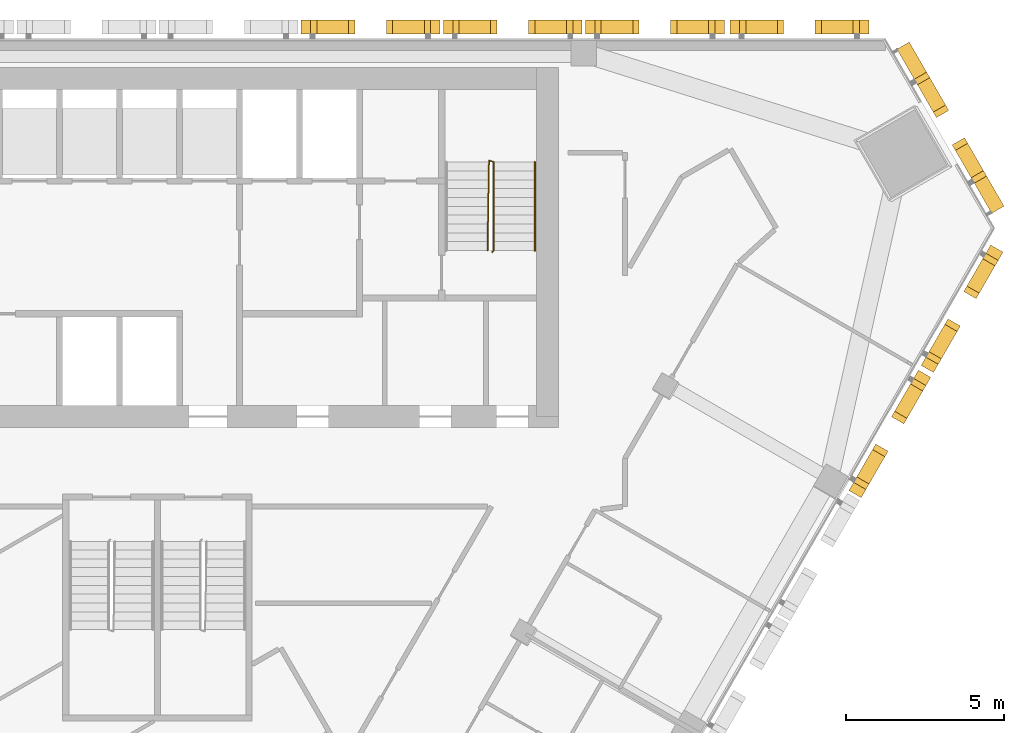
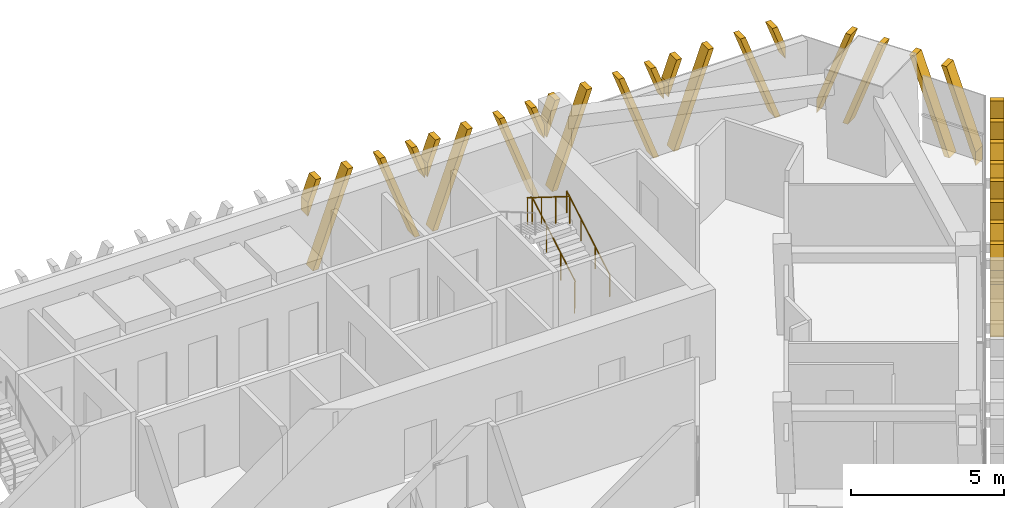
# One storey, part 14 of 15: 7 shading devices, 2 railings.
"""IFC4 building model written with IfcOpenShell, lengths in metres."""

from ifc_helpers import new_model, si_unit, direction, frame, origin, origin_2d, place, context, subcontext, project, spatial, polyline, circle, outline, extrude, source, transform, mapped, material, type_object, element, save


model = new_model("IFC4")

# Units and contexts
model_context = context("Model", 3, precision=1e-05, world=origin(), true_north=direction((0.0, 1.0)))
body_context = subcontext(model_context, "Body", "Model", "MODEL_VIEW")
ifc_project = project(units=[si_unit("LENGTHUNIT", "METRE"), si_unit("AREAUNIT", "SQUARE_METRE"), si_unit("VOLUMEUNIT", "CUBIC_METRE"), si_unit("PLANEANGLEUNIT", "RADIAN"), si_unit("MASSUNIT", "GRAM", prefix="KILO")], contexts=[model_context])

# Site, building, storey
site_placement = place(None, origin())
site = spatial("IfcSite", under=ifc_project, at=site_placement, CompositionType="ELEMENT")
building_placement = place(site_placement, origin())
building = spatial("IfcBuilding", under=site, at=building_placement, Name="Altiplano Prism Tower", CompositionType="ELEMENT")
storey_placement = place(building_placement, frame((0.0, 0.0, 171.0)))
storey = spatial("IfcBuildingStorey", under=building, at=storey_placement, Name="L44", CompositionType="ELEMENT", Elevation=171.0)

# Railings
ifc_material_1 = material(Name="Steel S355", Category="steel")
railing_type_1 = type_object("IfcRailingType", Name="Stair guard 1100", PredefinedType="GUARDRAIL", material=ifc_material_1)
railing_1_placement = place(storey_placement, frame((95.60009765625, 98.25, 0.0)))
element("IfcRailing", 1, at=railing_1_placement, inside=storey, type_object=railing_type_1, Name="L44 ST2 stair guard 1", PredefinedType="GUARDRAIL", context=body_context, shape_type="SweptSolid", body=[
    extrude(circle(Radius=0.02392578125, at=origin_2d()), frame((0.0, 0.0, 1.076171875), z_axis=(0.279546231943, 0.280916556609, 0.91811752648), x_axis=(-0.708833529934, 0.705375805398, 0.0)), (0.0, 0.0, 1.0), 0.17822265625),
    extrude(circle(Radius=0.02392578125, at=origin_2d()), frame((0.0498046875, 0.050048828125, 1.23974609375), z_axis=(0.0, 0.863360870873, 0.504586966384), x_axis=(-1.0, 0.0, 0.0)), (0.0, 0.0, 1.0), 3.2431640625),
    extrude(circle(Radius=0.02392578125, at=origin_2d()), frame((0.0498046875, 2.85009765625, 2.8759765625), z_axis=(-0.948991962702, 0.315300261223, 0.0), x_axis=(-0.315300261223, -0.948991962702, 0.0)), (0.0, 0.0, 1.0), 0.157958984375),
    extrude(circle(Radius=0.02392578125, at=origin_2d()), frame((-0.10009765625, 2.89990234375, 2.8759765625), z_axis=(-0.014846418356, -0.845376787675, 0.533964109957), x_axis=(0.999845825584, -0.017559187376, 0.0)), (0.0, 0.0, 1.0), 3.37109375),
    extrude(circle(Radius=0.02099609375, at=origin_2d()), origin(), (0.0, 0.0, 1.0), 1.052001953125),
    extrude(circle(Radius=0.02099609375, at=origin_2d()), frame((0.0498046875, 0.050048828125, 0.16357421875)), (0.0, 0.0, 1.0), 1.052001953125),
    extrude(circle(Radius=0.02099609375, at=origin_2d()), frame((0.0498046875, 0.9833984375, 0.708984375)), (0.0, 0.0, 1.0), 1.052001953125),
    extrude(circle(Radius=0.02099609375, at=origin_2d()), frame((0.0498046875, 1.916748046875, 1.254638671875)), (0.0, 0.0, 1.0), 1.052001953125),
    extrude(circle(Radius=0.02099609375, at=origin_2d()), frame((0.0498046875, 2.85009765625, 1.800048828125)), (0.0, 0.0, 1.0), 1.052001953125),
    extrude(circle(Radius=0.02099609375, at=origin_2d()), frame((-0.10009765625, 2.89990234375, 1.800048828125)), (0.0, 0.0, 1.0), 1.052001953125),
    extrude(circle(Radius=0.02099609375, at=origin_2d()), frame((-0.11669921875, 1.949951171875, 2.400146484375)), (0.0, 0.0, 1.0), 1.052001953125),
    extrude(circle(Radius=0.02099609375, at=origin_2d()), frame((-0.133544921875, 1.0, 3.0)), (0.0, 0.0, 1.0), 1.052001953125),
    extrude(circle(Radius=0.02099609375, at=origin_2d()), frame((-0.150146484375, 0.050048828125, 3.60009765625)), (0.0, 0.0, 1.0), 1.052001953125),
])
railing_type_2 = type_object("IfcRailingType", Name="Stair handrail 900", PredefinedType="HANDRAIL", material=ifc_material_1)
railing_2_placement = place(storey_placement, frame((96.949951171875, 98.300048828125, 0.16357421875)))
element("IfcRailing", 2, at=railing_2_placement, inside=storey, type_object=railing_type_2, Name="L44 ST2 stair handrail 1", PredefinedType="HANDRAIL", context=body_context, shape_type="SweptSolid", body=[
    extrude(circle(Radius=0.02392578125, at=origin_2d()), frame((0.0, 0.0, 0.8759765625), z_axis=(0.0, 0.863360870873, 0.504586966384), x_axis=(-1.0, 0.0, 0.0)), (0.0, 0.0, 1.0), 3.2431640625),
    extrude(circle(Radius=0.02099609375, at=origin_2d()), origin(), (0.0, 0.0, 1.0), 0.851806640625),
    extrude(circle(Radius=0.02099609375, at=origin_2d()), frame((0.0, 0.933349609375, 0.54541015625)), (0.0, 0.0, 1.0), 0.851806640625),
    extrude(circle(Radius=0.02099609375, at=origin_2d()), frame((0.0, 1.86669921875, 1.091064453125)), (0.0, 0.0, 1.0), 0.851806640625),
    extrude(circle(Radius=0.02099609375, at=origin_2d()), frame((0.0, 2.800048828125, 1.636474609375)), (0.0, 0.0, 1.0), 0.851806640625),
])

# Shading devices
ifc_material_2 = material(Name="Warm limestone cast stone", Category="masonry")
shading_device_type_1 = type_object("IfcShadingDeviceType", Name="Stone fin panel, wide closing bay", PredefinedType="USERDEFINED", material=ifc_material_2)
shared_shape_1 = source(origin(), body_context, "Body", "SweptSolid", [
    extrude(outline(polyline([(-2.199951171875, 2.226318359375), (-1.699951171875, 3.60009765625), (-1.89990234375, 3.60009765625), (-2.199951171875, 2.77587890625), (-2.199951171875, 2.226318359375)])), frame((0.0, -0.14990234375, 0.0), z_axis=(0.0, -1.0, 0.0), x_axis=(1.0, 0.0, 0.0)), (0.0, 0.0, 1.0), 0.4501953125),
    extrude(outline(polyline([(-2.01025390625, 0.0), (-1.810302734375, 0.0), (-0.5, 3.60009765625), (-0.699951171875, 3.60009765625), (-2.01025390625, 0.0)])), frame((0.0, -0.14990234375, 0.0), z_axis=(0.0, -1.0, 0.0), x_axis=(1.0, 0.0, 0.0)), (0.0, 0.0, 1.0), 0.4501953125),
    extrude(outline(polyline([(1.810302734375, 0.0), (2.01025390625, 0.0), (0.699951171875, 3.60009765625), (0.5, 3.60009765625), (1.810302734375, 0.0)])), frame((0.0, -0.14990234375, 0.0), z_axis=(0.0, -1.0, 0.0), x_axis=(1.0, 0.0, 0.0)), (0.0, 0.0, 1.0), 0.4501953125),
    extrude(outline(polyline([(2.199951171875, 2.77587890625), (1.89990234375, 3.60009765625), (1.699951171875, 3.60009765625), (2.199951171875, 2.226318359375), (2.199951171875, 2.77587890625)])), frame((0.0, -0.14990234375, 0.0), z_axis=(0.0, -1.0, 0.0), x_axis=(1.0, 0.0, 0.0)), (0.0, 0.0, 1.0), 0.4501953125),
])
shading_device_1_placement = place(storey_placement, origin())
element("IfcShadingDevice", 3, at=shading_device_1_placement, inside=storey, type_object=shading_device_type_1, Name="Fin L44 north face 1", ObjectType="FIN", PredefinedType="USERDEFINED", context=body_context, shape_type="MappedRepresentation", body=[
    mapped(shared_shape_1, transform((105.326416015625, 105.0, -0.449951171875), x_axis=(-1.0, 0.0, 0.0), y_axis=(0.0, -1.0, 0.0), z_axis=(0.0, 0.0, 1.0))),
])
shading_device_type_2 = type_object("IfcShadingDeviceType", Name="Stone fin panel, standard unit", PredefinedType="USERDEFINED", material=ifc_material_2)
shading_device_2_placement = place(storey_placement, origin())
element("IfcShadingDevice", 4, at=shading_device_2_placement, inside=storey, type_object=shading_device_type_2, Name="Fin L44 north face 2", ObjectType="FIN", PredefinedType="USERDEFINED", context=body_context, shape_type="MappedRepresentation", body=[
    mapped(shared_shape_1, transform((100.75, 105.0, -0.449951171875), x_axis=(-1.0, 0.0, 0.0), y_axis=(0.0, -1.0, 0.0), z_axis=(0.0, 0.0, 1.0))),
])
shading_device_3_placement = place(storey_placement, origin())
element("IfcShadingDevice", 5, at=shading_device_3_placement, inside=storey, type_object=shading_device_type_2, Name="Fin L44 north face 3", ObjectType="FIN", PredefinedType="USERDEFINED", context=body_context, shape_type="MappedRepresentation", body=[
    mapped(shared_shape_1, transform((96.25, 105.0, -0.449951171875), x_axis=(-1.0, 0.0, 0.0), y_axis=(0.0, -1.0, 0.0), z_axis=(0.0, 0.0, 1.0))),
])
shading_device_4_placement = place(storey_placement, origin())
element("IfcShadingDevice", 6, at=shading_device_4_placement, inside=storey, type_object=shading_device_type_2, Name="Fin L44 north face 4", ObjectType="FIN", PredefinedType="USERDEFINED", context=body_context, shape_type="MappedRepresentation", body=[
    mapped(shared_shape_1, transform((91.75, 105.0, -0.449951171875), x_axis=(-1.0, 0.0, 0.0), y_axis=(0.0, -1.0, 0.0), z_axis=(0.0, 0.0, 1.0))),
])
shading_device_5_placement = place(storey_placement, origin())
element("IfcShadingDevice", 7, at=shading_device_5_placement, inside=storey, type_object=shading_device_type_2, Name="Fin L44 south-east face 9", ObjectType="FIN", PredefinedType="USERDEFINED", context=body_context, shape_type="MappedRepresentation", body=[
    mapped(shared_shape_1, transform((107.862060546875, 92.681640625, -0.449951171875), x_axis=(0.499999992175, 0.866025408302, 0.0), y_axis=(-0.866025408302, 0.499999992175, 0.0), z_axis=(0.0, 0.0, 1.0))),
])
shading_device_6_placement = place(storey_placement, origin())
element("IfcShadingDevice", 8, at=shading_device_6_placement, inside=storey, type_object=shading_device_type_1, Name="Fin L44 south-east face 10", ObjectType="FIN", PredefinedType="USERDEFINED", context=body_context, shape_type="MappedRepresentation", body=[
    mapped(shared_shape_1, transform((110.150146484375, 96.64501953125, -0.449951171875), x_axis=(0.499999992175, 0.866025408302, 0.0), y_axis=(-0.866025408302, 0.499999992175, 0.0), z_axis=(0.0, 0.0, 1.0))),
])
shading_device_type_3 = type_object("IfcShadingDeviceType", Name="Stone fin panel, chamfer unit", PredefinedType="USERDEFINED", material=ifc_material_2)
shared_shape_2 = source(origin(), body_context, "Body", "SweptSolid", [
    extrude(outline(polyline([(-3.0, 0.0283203125), (-1.699951171875, 3.60009765625), (-1.89990234375, 3.60009765625), (-3.0, 0.577880859375), (-3.0, 0.0283203125)])), frame((0.0, -0.14990234375, 0.0), z_axis=(0.0, -1.0, 0.0), x_axis=(1.0, 0.0, 0.0)), (0.0, 0.0, 1.0), 0.4501953125),
    extrude(outline(polyline([(-2.01025390625, 0.0), (-1.810302734375, 0.0), (-0.5, 3.60009765625), (-0.699951171875, 3.60009765625), (-2.01025390625, 0.0)])), frame((0.0, -0.14990234375, 0.0), z_axis=(0.0, -1.0, 0.0), x_axis=(1.0, 0.0, 0.0)), (0.0, 0.0, 1.0), 0.4501953125),
    extrude(outline(polyline([(1.810302734375, 0.0), (2.01025390625, 0.0), (0.699951171875, 3.60009765625), (0.5, 3.60009765625), (1.810302734375, 0.0)])), frame((0.0, -0.14990234375, 0.0), z_axis=(0.0, -1.0, 0.0), x_axis=(1.0, 0.0, 0.0)), (0.0, 0.0, 1.0), 0.4501953125),
    extrude(outline(polyline([(3.0, 0.577880859375), (1.89990234375, 3.60009765625), (1.699951171875, 3.60009765625), (3.0, 0.0283203125), (3.0, 0.577880859375)])), frame((0.0, -0.14990234375, 0.0), z_axis=(0.0, -1.0, 0.0), x_axis=(1.0, 0.0, 0.0)), (0.0, 0.0, 1.0), 0.4501953125),
])
shading_device_7_placement = place(storey_placement, origin())
element("IfcShadingDevice", 9, at=shading_device_7_placement, inside=storey, type_object=shading_device_type_3, Name="Fin L44 north-east chamfer 1", ObjectType="FIN", PredefinedType="USERDEFINED", context=body_context, shape_type="MappedRepresentation", body=[
    mapped(shared_shape_2, transform((109.782958984375, 102.0029296875, -0.449951171875), x_axis=(-0.50000001817, 0.866025393294, 0.0), y_axis=(-0.866025393294, -0.50000001817, 0.0), z_axis=(0.0, 0.0, 1.0))),
])

save(model, "model.ifc")
